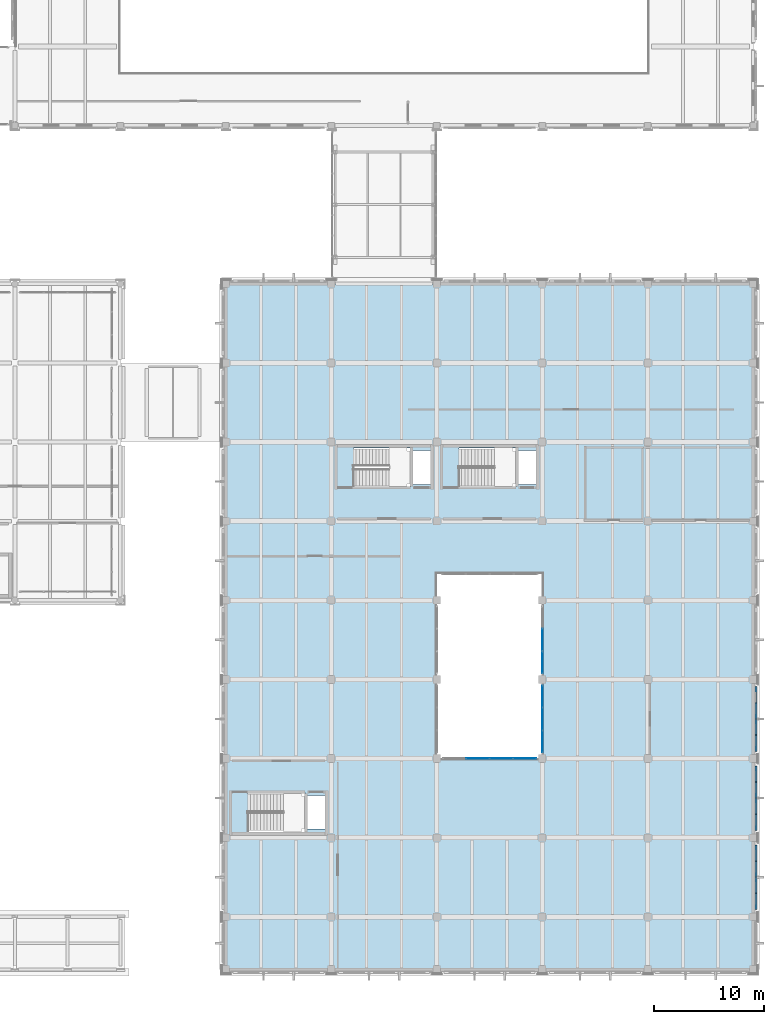
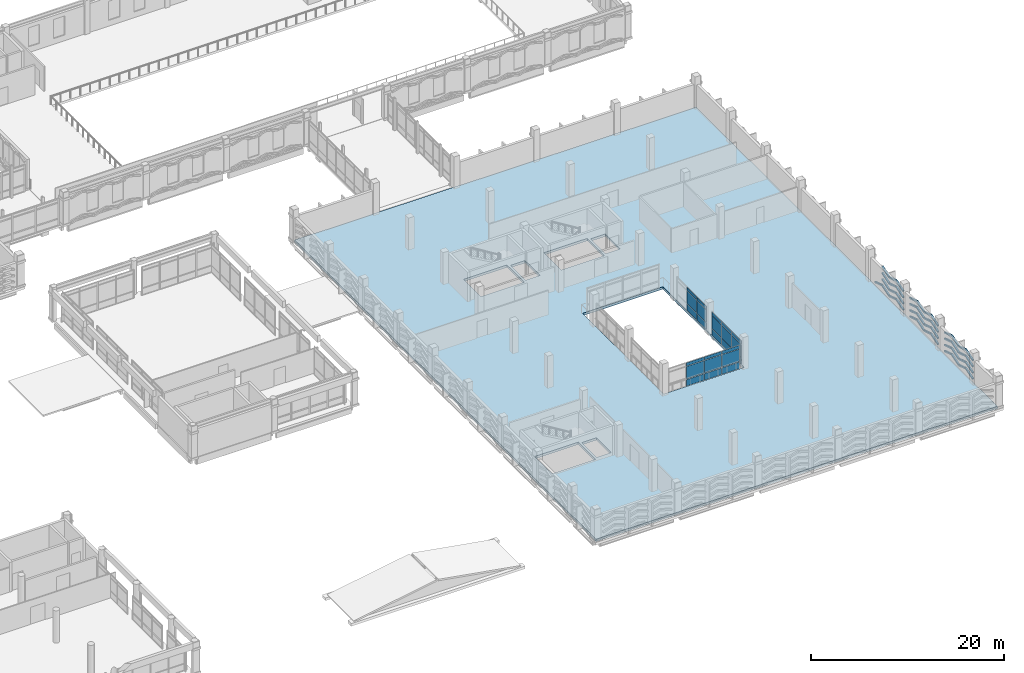
# One storey, part 145 of 180: 69 plates, 1 slab, 3 elements without a shape of their own.
"""IFC4 building model written with IfcOpenShell, lengths in metres."""

from ifc_helpers import new_model, si_unit, direction, frame, origin, origin_2d, place, context, subcontext, project, spatial, polyline, rectangle, hollow_rectangle, outline, extrude, material, layer, layer_set, material_profile, profile_set, type_object, element, aggregate, save


model = new_model("IFC4")

# Units and contexts
model_context = context("Model", 3, precision=1e-05, world=origin(), true_north=direction((0.0, 1.0)))
body_context = subcontext(model_context, "Body", "Model", "MODEL_VIEW")
ifc_project = project(units=[si_unit("LENGTHUNIT", "METRE"), si_unit("AREAUNIT", "SQUARE_METRE"), si_unit("VOLUMEUNIT", "CUBIC_METRE"), si_unit("PLANEANGLEUNIT", "RADIAN"), si_unit("MASSUNIT", "GRAM", prefix="KILO")], contexts=[model_context])

# Site, building, storey
site_placement = place(None, origin())
site = spatial("IfcSite", under=ifc_project, at=site_placement, CompositionType="ELEMENT")
building_placement = place(site_placement, origin())
building = spatial("IfcBuilding", under=site, at=building_placement, Name="Asteropetra Specialist Clinic", CompositionType="ELEMENT")
storey_placement = place(building_placement, frame((0.0, 0.0, 4.419921875)))
storey = spatial("IfcBuildingStorey", under=building, at=storey_placement, Name="L01", CompositionType="ELEMENT", Elevation=4.419921875)

# Plates
ifc_material_1 = material(Name="Chevron emerald aluminium 6063-T6", Category="aluminium")
ifc_material_profile = material_profile(ifc_material_1, hollow_rectangle(XDim=0.199951171875, YDim=0.199951171875, WallThickness=0.010009765625, InnerFilletRadius=0.008056640625, OuterFilletRadius=0.01611328125, at=origin_2d()), Name="SHS 200x200x10.0")
ifc_profile_set = profile_set([ifc_material_profile], Name="Chevron emerald aluminium 6063-T6")
plate_type_1 = type_object("IfcPlateType", Name="CHV-RIB-200", PredefinedType="SHEET", material=ifc_profile_set)
plate_1_placement = place(storey_placement, frame((153.849609375, 5.489990234375, 0.050048828125), z_axis=(0.0, 0.952521261695, 0.304472077568), x_axis=(-1.0, 0.0, 0.0)))
element("IfcPlate", 1, at=plate_1_placement, inside=storey, type_object=plate_type_1, Name="Chevron Facade Screen Fin CVR-2224", PredefinedType="SHEET", context=body_context, shape_type="SweptSolid", body=[
    extrude(hollow_rectangle(XDim=0.199951171875, YDim=0.199951171875, WallThickness=0.010009765625, InnerFilletRadius=0.008056640625, OuterFilletRadius=0.01611328125, at=origin_2d()), origin(), (0.0, 0.0, 1.0), 1.51708984375),
])
plate_2_placement = place(storey_placement, frame((153.849609375, 6.93505859375, 0.511962890625), z_axis=(0.0, 0.952506339897, -0.304518755506), x_axis=(-1.0, 0.0, 0.0)))
element("IfcPlate", 2, at=plate_2_placement, inside=storey, type_object=plate_type_1, Name="Chevron Facade Screen Fin CVR-2225", PredefinedType="SHEET", context=body_context, shape_type="SweptSolid", body=[
    extrude(hollow_rectangle(XDim=0.199951171875, YDim=0.199951171875, WallThickness=0.010009765625, InnerFilletRadius=0.008056640625, OuterFilletRadius=0.01611328125, at=origin_2d()), origin(), (0.0, 0.0, 1.0), 1.516845703125),
])
plate_3_placement = place(storey_placement, frame((153.849609375, 5.489990234375, 0.820068359375), z_axis=(0.0, 0.952521261695, 0.304472077568), x_axis=(-1.0, 0.0, 0.0)))
element("IfcPlate", 3, at=plate_3_placement, inside=storey, type_object=plate_type_1, Name="Chevron Facade Screen Fin CVR-2226", PredefinedType="SHEET", context=body_context, shape_type="SweptSolid", body=[
    extrude(hollow_rectangle(XDim=0.199951171875, YDim=0.199951171875, WallThickness=0.010009765625, InnerFilletRadius=0.008056640625, OuterFilletRadius=0.01611328125, at=origin_2d()), origin(), (0.0, 0.0, 1.0), 1.51708984375),
])
plate_4_placement = place(storey_placement, frame((153.849609375, 6.93505859375, 1.281982421875), z_axis=(0.0, 0.952506339897, -0.304518755506), x_axis=(-1.0, 0.0, 0.0)))
element("IfcPlate", 4, at=plate_4_placement, inside=storey, type_object=plate_type_1, Name="Chevron Facade Screen Fin CVR-2227", PredefinedType="SHEET", context=body_context, shape_type="SweptSolid", body=[
    extrude(hollow_rectangle(XDim=0.199951171875, YDim=0.199951171875, WallThickness=0.010009765625, InnerFilletRadius=0.008056640625, OuterFilletRadius=0.01611328125, at=origin_2d()), origin(), (0.0, 0.0, 1.0), 1.516845703125),
])
plate_5_placement = place(storey_placement, frame((153.849609375, 5.489990234375, 1.6201171875), z_axis=(0.0, 0.952521261695, 0.304472077568), x_axis=(-1.0, 0.0, 0.0)))
element("IfcPlate", 5, at=plate_5_placement, inside=storey, type_object=plate_type_1, Name="Chevron Facade Screen Fin CVR-2228", PredefinedType="SHEET", context=body_context, shape_type="SweptSolid", body=[
    extrude(hollow_rectangle(XDim=0.199951171875, YDim=0.199951171875, WallThickness=0.010009765625, InnerFilletRadius=0.008056640625, OuterFilletRadius=0.01611328125, at=origin_2d()), origin(), (0.0, 0.0, 1.0), 1.51708984375),
])
plate_6_placement = place(storey_placement, frame((153.849609375, 6.93505859375, 2.08203125), z_axis=(0.0, 0.952506339897, -0.304518755506), x_axis=(-1.0, 0.0, 0.0)))
element("IfcPlate", 6, at=plate_6_placement, inside=storey, type_object=plate_type_1, Name="Chevron Facade Screen Fin CVR-2229", PredefinedType="SHEET", context=body_context, shape_type="SweptSolid", body=[
    extrude(hollow_rectangle(XDim=0.199951171875, YDim=0.199951171875, WallThickness=0.010009765625, InnerFilletRadius=0.008056640625, OuterFilletRadius=0.01611328125, at=origin_2d()), origin(), (0.0, 0.0, 1.0), 1.516845703125),
])
plate_7_placement = place(storey_placement, frame((153.849609375, 5.489990234375, 2.400146484375), z_axis=(0.0, 0.952521261695, 0.304472077568), x_axis=(-1.0, 0.0, 0.0)))
element("IfcPlate", 7, at=plate_7_placement, inside=storey, type_object=plate_type_1, Name="Chevron Facade Screen Fin CVR-2230", PredefinedType="SHEET", context=body_context, shape_type="SweptSolid", body=[
    extrude(hollow_rectangle(XDim=0.199951171875, YDim=0.199951171875, WallThickness=0.010009765625, InnerFilletRadius=0.008056640625, OuterFilletRadius=0.01611328125, at=origin_2d()), origin(), (0.0, 0.0, 1.0), 1.51708984375),
])
plate_8_placement = place(storey_placement, frame((153.849609375, 6.93505859375, 2.862060546875), z_axis=(0.0, 0.952506339897, -0.304518755506), x_axis=(-1.0, 0.0, 0.0)))
element("IfcPlate", 8, at=plate_8_placement, inside=storey, type_object=plate_type_1, Name="Chevron Facade Screen Fin CVR-2231", PredefinedType="SHEET", context=body_context, shape_type="SweptSolid", body=[
    extrude(hollow_rectangle(XDim=0.199951171875, YDim=0.199951171875, WallThickness=0.010009765625, InnerFilletRadius=0.008056640625, OuterFilletRadius=0.01611328125, at=origin_2d()), origin(), (0.0, 0.0, 1.0), 1.516845703125),
])
for number, where, z_axis, x_axis, name in (
    (9, (153.849609375, 8.419921875, 0.050048828125), (0.0, 0.952521261695, 0.304472077568), (-1.0, 0.0, 0.0), "Chevron Facade Screen Fin CVR-2232"),
    (10, (153.849609375, 9.864990234375, 0.511962890625), (0.0, 0.952521261695, -0.304472077568), (-1.0, 0.0, 0.0), "Chevron Facade Screen Fin CVR-2233"),
    (11, (153.849609375, 8.419921875, 0.820068359375), (0.0, 0.952521261695, 0.304472077568), (-1.0, 0.0, 0.0), "Chevron Facade Screen Fin CVR-2234"),
    (12, (153.849609375, 9.864990234375, 1.281982421875), (0.0, 0.952521261695, -0.304472077568), (-1.0, 0.0, 0.0), "Chevron Facade Screen Fin CVR-2235"),
    (13, (153.849609375, 8.419921875, 1.6201171875), (0.0, 0.952521261695, 0.304472077568), (-1.0, 0.0, 0.0), "Chevron Facade Screen Fin CVR-2236"),
    (14, (153.849609375, 9.864990234375, 2.08203125), (0.0, 0.952521261695, -0.304472077568), (-1.0, 0.0, 0.0), "Chevron Facade Screen Fin CVR-2237"),
    (15, (153.849609375, 8.419921875, 2.400146484375), (0.0, 0.952521261695, 0.304472077568), (-1.0, 0.0, 0.0), "Chevron Facade Screen Fin CVR-2238"),
    (16, (153.849609375, 9.864990234375, 2.862060546875), (0.0, 0.952521261695, -0.304472077568), (-1.0, 0.0, 0.0), "Chevron Facade Screen Fin CVR-2239"),
    (17, (153.849609375, 12.68994140625, 0.050048828125), (0.0, 0.952521261695, 0.304472077568), (-1.0, 0.0, 0.0), "Chevron Facade Screen Fin CVR-2256"),
    (18, (153.849609375, 14.135009765625, 0.511962890625), (0.0, 0.952521261695, -0.304472077568), (-1.0, 0.0, 0.0), "Chevron Facade Screen Fin CVR-2257"),
    (19, (153.849609375, 12.68994140625, 0.820068359375), (0.0, 0.952521261695, 0.304472077568), (-1.0, 0.0, 0.0), "Chevron Facade Screen Fin CVR-2258"),
    (20, (153.849609375, 14.135009765625, 1.281982421875), (0.0, 0.952521261695, -0.304472077568), (-1.0, 0.0, 0.0), "Chevron Facade Screen Fin CVR-2259"),
    (21, (153.849609375, 12.68994140625, 1.6201171875), (0.0, 0.952521261695, 0.304472077568), (-1.0, 0.0, 0.0), "Chevron Facade Screen Fin CVR-2260"),
    (22, (153.849609375, 14.135009765625, 2.08203125), (0.0, 0.952521261695, -0.304472077568), (-1.0, 0.0, 0.0), "Chevron Facade Screen Fin CVR-2261"),
    (23, (153.849609375, 12.68994140625, 2.400146484375), (0.0, 0.952521261695, 0.304472077568), (-1.0, 0.0, 0.0), "Chevron Facade Screen Fin CVR-2262"),
    (24, (153.849609375, 14.135009765625, 2.862060546875), (0.0, 0.952521261695, -0.304472077568), (-1.0, 0.0, 0.0), "Chevron Facade Screen Fin CVR-2263"),
):
    element("IfcPlate", number, at=place(storey_placement, frame(where, z_axis=z_axis, x_axis=x_axis)), inside=storey, type_object=plate_type_1, Name=name, PredefinedType="SHEET", context=body_context, shape_type="SweptSolid", body=[
        extrude(hollow_rectangle(XDim=0.199951171875, YDim=0.199951171875, WallThickness=0.010009765625, InnerFilletRadius=0.008056640625, OuterFilletRadius=0.01611328125, at=origin_2d()), origin(), (0.0, 0.0, 1.0), 1.51708984375),
    ])
plate_9_placement = place(storey_placement, frame((153.849609375, 15.6201171875, 0.050048828125), z_axis=(0.0, 0.952506339897, 0.304518755506), x_axis=(-1.0, 0.0, 0.0)))
element("IfcPlate", 25, at=plate_9_placement, inside=storey, type_object=plate_type_1, Name="Chevron Facade Screen Fin CVR-2264", PredefinedType="SHEET", context=body_context, shape_type="SweptSolid", body=[
    extrude(hollow_rectangle(XDim=0.199951171875, YDim=0.199951171875, WallThickness=0.010009765625, InnerFilletRadius=0.008056640625, OuterFilletRadius=0.01611328125, at=origin_2d()), origin(), (0.0, 0.0, 1.0), 1.516845703125),
])
plate_10_placement = place(storey_placement, frame((153.849609375, 17.06494140625, 0.511962890625), z_axis=(0.0, 0.952521261695, -0.304472077568), x_axis=(-1.0, 0.0, 0.0)))
element("IfcPlate", 26, at=plate_10_placement, inside=storey, type_object=plate_type_1, Name="Chevron Facade Screen Fin CVR-2265", PredefinedType="SHEET", context=body_context, shape_type="SweptSolid", body=[
    extrude(hollow_rectangle(XDim=0.199951171875, YDim=0.199951171875, WallThickness=0.010009765625, InnerFilletRadius=0.008056640625, OuterFilletRadius=0.01611328125, at=origin_2d()), origin(), (0.0, 0.0, 1.0), 1.51708984375),
])
plate_11_placement = place(storey_placement, frame((153.849609375, 15.6201171875, 0.820068359375), z_axis=(0.0, 0.952506339897, 0.304518755506), x_axis=(-1.0, 0.0, 0.0)))
element("IfcPlate", 27, at=plate_11_placement, inside=storey, type_object=plate_type_1, Name="Chevron Facade Screen Fin CVR-2266", PredefinedType="SHEET", context=body_context, shape_type="SweptSolid", body=[
    extrude(hollow_rectangle(XDim=0.199951171875, YDim=0.199951171875, WallThickness=0.010009765625, InnerFilletRadius=0.008056640625, OuterFilletRadius=0.01611328125, at=origin_2d()), origin(), (0.0, 0.0, 1.0), 1.516845703125),
])
plate_12_placement = place(storey_placement, frame((153.849609375, 17.06494140625, 1.281982421875), z_axis=(0.0, 0.952521261695, -0.304472077568), x_axis=(-1.0, 0.0, 0.0)))
element("IfcPlate", 28, at=plate_12_placement, inside=storey, type_object=plate_type_1, Name="Chevron Facade Screen Fin CVR-2267", PredefinedType="SHEET", context=body_context, shape_type="SweptSolid", body=[
    extrude(hollow_rectangle(XDim=0.199951171875, YDim=0.199951171875, WallThickness=0.010009765625, InnerFilletRadius=0.008056640625, OuterFilletRadius=0.01611328125, at=origin_2d()), origin(), (0.0, 0.0, 1.0), 1.51708984375),
])
plate_13_placement = place(storey_placement, frame((153.849609375, 15.6201171875, 1.6201171875), z_axis=(0.0, 0.952506339897, 0.304518755506), x_axis=(-1.0, 0.0, 0.0)))
element("IfcPlate", 29, at=plate_13_placement, inside=storey, type_object=plate_type_1, Name="Chevron Facade Screen Fin CVR-2268", PredefinedType="SHEET", context=body_context, shape_type="SweptSolid", body=[
    extrude(hollow_rectangle(XDim=0.199951171875, YDim=0.199951171875, WallThickness=0.010009765625, InnerFilletRadius=0.008056640625, OuterFilletRadius=0.01611328125, at=origin_2d()), origin(), (0.0, 0.0, 1.0), 1.516845703125),
])
plate_14_placement = place(storey_placement, frame((153.849609375, 17.06494140625, 2.08203125), z_axis=(0.0, 0.952521261695, -0.304472077568), x_axis=(-1.0, 0.0, 0.0)))
element("IfcPlate", 30, at=plate_14_placement, inside=storey, type_object=plate_type_1, Name="Chevron Facade Screen Fin CVR-2269", PredefinedType="SHEET", context=body_context, shape_type="SweptSolid", body=[
    extrude(hollow_rectangle(XDim=0.199951171875, YDim=0.199951171875, WallThickness=0.010009765625, InnerFilletRadius=0.008056640625, OuterFilletRadius=0.01611328125, at=origin_2d()), origin(), (0.0, 0.0, 1.0), 1.51708984375),
])
plate_15_placement = place(storey_placement, frame((153.849609375, 15.6201171875, 2.400146484375), z_axis=(0.0, 0.952506339897, 0.304518755506), x_axis=(-1.0, 0.0, 0.0)))
element("IfcPlate", 31, at=plate_15_placement, inside=storey, type_object=plate_type_1, Name="Chevron Facade Screen Fin CVR-2270", PredefinedType="SHEET", context=body_context, shape_type="SweptSolid", body=[
    extrude(hollow_rectangle(XDim=0.199951171875, YDim=0.199951171875, WallThickness=0.010009765625, InnerFilletRadius=0.008056640625, OuterFilletRadius=0.01611328125, at=origin_2d()), origin(), (0.0, 0.0, 1.0), 1.516845703125),
])
for number, where, z_axis, x_axis, name in (
    (32, (153.849609375, 17.06494140625, 2.862060546875), (0.0, 0.952521261695, -0.304472077568), (-1.0, 0.0, 0.0), "Chevron Facade Screen Fin CVR-2271"),
    (33, (153.849609375, 19.889892578125, 0.050048828125), (0.0, 0.952521261695, 0.304472077568), (-1.0, 0.0, 0.0), "Chevron Facade Screen Fin CVR-2288"),
    (34, (153.849609375, 21.3349609375, 0.511962890625), (0.0, 0.952521261695, -0.304472077568), (-1.0, 0.0, 0.0), "Chevron Facade Screen Fin CVR-2289"),
    (35, (153.849609375, 19.889892578125, 0.820068359375), (0.0, 0.952521261695, 0.304472077568), (-1.0, 0.0, 0.0), "Chevron Facade Screen Fin CVR-2290"),
    (36, (153.849609375, 21.3349609375, 1.281982421875), (0.0, 0.952521261695, -0.304472077568), (-1.0, 0.0, 0.0), "Chevron Facade Screen Fin CVR-2291"),
    (37, (153.849609375, 19.889892578125, 1.6201171875), (0.0, 0.952521261695, 0.304472077568), (-1.0, 0.0, 0.0), "Chevron Facade Screen Fin CVR-2292"),
    (38, (153.849609375, 21.3349609375, 2.08203125), (0.0, 0.952521261695, -0.304472077568), (-1.0, 0.0, 0.0), "Chevron Facade Screen Fin CVR-2293"),
    (39, (153.849609375, 19.889892578125, 2.400146484375), (0.0, 0.952521261695, 0.304472077568), (-1.0, 0.0, 0.0), "Chevron Facade Screen Fin CVR-2294"),
    (40, (153.849609375, 21.3349609375, 2.862060546875), (0.0, 0.952521261695, -0.304472077568), (-1.0, 0.0, 0.0), "Chevron Facade Screen Fin CVR-2295"),
):
    element("IfcPlate", number, at=place(storey_placement, frame(where, z_axis=z_axis, x_axis=x_axis)), inside=storey, type_object=plate_type_1, Name=name, PredefinedType="SHEET", context=body_context, shape_type="SweptSolid", body=[
        extrude(hollow_rectangle(XDim=0.199951171875, YDim=0.199951171875, WallThickness=0.010009765625, InnerFilletRadius=0.008056640625, OuterFilletRadius=0.01611328125, at=origin_2d()), origin(), (0.0, 0.0, 1.0), 1.51708984375),
    ])
plate_16_placement = place(storey_placement, frame((153.849609375, 22.820068359375, 0.050048828125), z_axis=(0.0, 0.952506339897, 0.304518755506), x_axis=(-1.0, 0.0, 0.0)))
element("IfcPlate", 41, at=plate_16_placement, inside=storey, type_object=plate_type_1, Name="Chevron Facade Screen Fin CVR-2296", PredefinedType="SHEET", context=body_context, shape_type="SweptSolid", body=[
    extrude(hollow_rectangle(XDim=0.199951171875, YDim=0.199951171875, WallThickness=0.010009765625, InnerFilletRadius=0.008056640625, OuterFilletRadius=0.01611328125, at=origin_2d()), origin(), (0.0, 0.0, 1.0), 1.516845703125),
])
plate_17_placement = place(storey_placement, frame((153.849609375, 24.264892578125, 0.511962890625), z_axis=(0.0, 0.952521261695, -0.304472077568), x_axis=(-1.0, 0.0, 0.0)))
element("IfcPlate", 42, at=plate_17_placement, inside=storey, type_object=plate_type_1, Name="Chevron Facade Screen Fin CVR-2297", PredefinedType="SHEET", context=body_context, shape_type="SweptSolid", body=[
    extrude(hollow_rectangle(XDim=0.199951171875, YDim=0.199951171875, WallThickness=0.010009765625, InnerFilletRadius=0.008056640625, OuterFilletRadius=0.01611328125, at=origin_2d()), origin(), (0.0, 0.0, 1.0), 1.51708984375),
])
for number, where, z_axis, x_axis, name in (
    (43, (153.849609375, 22.820068359375, 0.820068359375), (0.0, 0.952506339897, 0.304518755506), (-1.0, 0.0, 0.0), "Chevron Facade Screen Fin CVR-2298"),
    (44, (153.849609375, 22.820068359375, 1.6201171875), (0.0, 0.952506339897, 0.304518755506), (-1.0, 0.0, 0.0), "Chevron Facade Screen Fin CVR-2300"),
    (45, (153.849609375, 22.820068359375, 2.400146484375), (0.0, 0.952506339897, 0.304518755506), (-1.0, 0.0, 0.0), "Chevron Facade Screen Fin CVR-2302"),
):
    element("IfcPlate", number, at=place(storey_placement, frame(where, z_axis=z_axis, x_axis=x_axis)), inside=storey, type_object=plate_type_1, Name=name, PredefinedType="SHEET", context=body_context, shape_type="SweptSolid", body=[
        extrude(hollow_rectangle(XDim=0.199951171875, YDim=0.199951171875, WallThickness=0.010009765625, InnerFilletRadius=0.008056640625, OuterFilletRadius=0.01611328125, at=origin_2d()), origin(), (0.0, 0.0, 1.0), 1.516845703125),
    ])

# Curtain wall, plates
ifc_material_2 = material(Name="Aluminium and low-E glass", Category="aluminium")
ifc_layer_1 = layer(ifc_material_2, 0.135009765625)
ifc_layer_set_1 = layer_set([ifc_layer_1], Name="Aluminium and low-E glass")
curtain_wall_type_1 = type_object("IfcCurtainWallType", Name="CW-SYS-12", PredefinedType="USERDEFINED", material=ifc_layer_set_1)
curtain_wall_1_placement = place(storey_placement, origin())
curtain_wall_1 = element("IfcCurtainWall", 46, at=curtain_wall_1_placement, inside=storey, type_object=curtain_wall_type_1, Name="Curtain Wall CW-076", ObjectType="STICK GLAZED COLONNADE", PredefinedType="USERDEFINED")
ifc_material_3 = material(Name="Low-E double glazing", Category="glass")
ifc_layer_2 = layer(ifc_material_3, 0.028076171875)
ifc_layer_set_2 = layer_set([ifc_layer_2], Name="Low-E double glazing")
plate_type_2 = type_object("IfcPlateType", Name="CWP-GLZ-28", PredefinedType="CURTAIN_PANEL", material=ifc_layer_set_2)
plate_18_placement = place(storey_placement, frame((134.39990234375, 27.956298828125, 0.06494140625), z_axis=(0.0, 0.0, 1.0), x_axis=(0.0, 1.0, 0.0)))
plate_18 = element("IfcPlate", 47, at=plate_18_placement, type_object=plate_type_2, Name="CW-076 panel 1.1", PredefinedType="CURTAIN_PANEL", context=body_context, shape_type="SweptSolid", body=[
    extrude(rectangle(XDim=1.96240234375, YDim=0.028076171875, at=origin_2d()), origin(), (0.0, 0.0, 1.0), 0.802490234375),
])
plate_19_placement = place(storey_placement, frame((134.39990234375, 27.956298828125, 0.9326171875), z_axis=(0.0, 0.0, 1.0), x_axis=(0.0, 1.0, 0.0)))
plate_19 = element("IfcPlate", 48, at=plate_19_placement, type_object=plate_type_2, Name="CW-076 panel 1.2", PredefinedType="CURTAIN_PANEL", context=body_context, shape_type="SweptSolid", body=[
    extrude(rectangle(XDim=1.96240234375, YDim=0.028076171875, at=origin_2d()), origin(), (0.0, 0.0, 1.0), 1.594970703125),
])
plate_20_placement = place(storey_placement, frame((134.39990234375, 27.956298828125, 2.5927734375), z_axis=(0.0, 0.0, 1.0), x_axis=(0.0, 1.0, 0.0)))
plate_20 = element("IfcPlate", 49, at=plate_20_placement, type_object=plate_type_2, Name="CW-076 panel 1.3", PredefinedType="CURTAIN_PANEL", context=body_context, shape_type="SweptSolid", body=[
    extrude(rectangle(XDim=1.96240234375, YDim=0.028076171875, at=origin_2d()), origin(), (0.0, 0.0, 1.0), 0.402587890625),
])
plate_21_placement = place(storey_placement, frame((134.39990234375, 30.0, 0.06494140625), z_axis=(0.0, 0.0, 1.0), x_axis=(0.0, 1.0, 0.0)))
plate_21 = element("IfcPlate", 50, at=plate_21_placement, type_object=plate_type_2, Name="CW-076 panel 2.1", PredefinedType="CURTAIN_PANEL", context=body_context, shape_type="SweptSolid", body=[
    extrude(rectangle(XDim=1.9951171875, YDim=0.028076171875, at=origin_2d()), origin(), (0.0, 0.0, 1.0), 0.802490234375),
])
plate_22_placement = place(storey_placement, frame((134.39990234375, 30.0, 0.9326171875), z_axis=(0.0, 0.0, 1.0), x_axis=(0.0, 1.0, 0.0)))
plate_22 = element("IfcPlate", 51, at=plate_22_placement, type_object=plate_type_2, Name="CW-076 panel 2.2", PredefinedType="CURTAIN_PANEL", context=body_context, shape_type="SweptSolid", body=[
    extrude(rectangle(XDim=1.9951171875, YDim=0.028076171875, at=origin_2d()), origin(), (0.0, 0.0, 1.0), 1.594970703125),
])
plate_23_placement = place(storey_placement, frame((134.39990234375, 30.0, 2.5927734375), z_axis=(0.0, 0.0, 1.0), x_axis=(0.0, 1.0, 0.0)))
plate_23 = element("IfcPlate", 52, at=plate_23_placement, type_object=plate_type_2, Name="CW-076 panel 2.3", PredefinedType="CURTAIN_PANEL", context=body_context, shape_type="SweptSolid", body=[
    extrude(rectangle(XDim=1.9951171875, YDim=0.028076171875, at=origin_2d()), origin(), (0.0, 0.0, 1.0), 0.402587890625),
])
aggregate(curtain_wall_1, [plate_18, plate_19, plate_20, plate_21, plate_22, plate_23])

ifc_material_4 = material(Name="Aluminium and low-E glass", Category="aluminium")
ifc_layer_3 = layer(ifc_material_4, 0.14990234375)
ifc_layer_set_3 = layer_set([ifc_layer_3], Name="Aluminium and low-E glass")
curtain_wall_type_2 = type_object("IfcCurtainWallType", Name="CW-SYS-11", PredefinedType="USERDEFINED", material=ifc_layer_set_3)
curtain_wall_2_placement = place(storey_placement, origin())
curtain_wall_2 = element("IfcCurtainWall", 53, at=curtain_wall_2_placement, inside=storey, type_object=curtain_wall_type_2, Name="Curtain Wall CW-074", ObjectType="STICK GLAZED COLONNADE", PredefinedType="USERDEFINED")
ifc_material_5 = material(Name="Solar-control triple glazing", Category="glass")
ifc_layer_4 = layer(ifc_material_5, 0.035888671875)
ifc_layer_set_4 = layer_set([ifc_layer_4], Name="Solar-control triple glazing")
plate_type_3 = type_object("IfcPlateType", Name="CWP-GLZ-36", PredefinedType="CURTAIN_PANEL", material=ifc_layer_set_4)
plate_24_placement = place(storey_placement, frame((134.39990234375, 20.7548828125, 0.06005859375), z_axis=(0.0, 0.0, 1.0), x_axis=(0.0, 1.0, 0.0)))
plate_24 = element("IfcPlate", 54, at=plate_24_placement, type_object=plate_type_3, Name="CW-074 panel 1.1", PredefinedType="CURTAIN_PANEL", context=body_context, shape_type="SweptSolid", body=[
    extrude(rectangle(XDim=1.969970703125, YDim=0.035888671875, at=origin_2d()), origin(), (0.0, 0.0, 1.0), 0.81005859375),
])
plate_25_placement = place(storey_placement, frame((134.39990234375, 20.7548828125, 0.929931640625), z_axis=(0.0, 0.0, 1.0), x_axis=(0.0, 1.0, 0.0)))
plate_25 = element("IfcPlate", 55, at=plate_25_placement, type_object=plate_type_3, Name="CW-074 panel 1.2", PredefinedType="CURTAIN_PANEL", context=body_context, shape_type="SweptSolid", body=[
    extrude(rectangle(XDim=1.969970703125, YDim=0.035888671875, at=origin_2d()), origin(), (0.0, 0.0, 1.0), 1.60009765625),
])
plate_26_placement = place(storey_placement, frame((134.39990234375, 20.7548828125, 2.59033203125), z_axis=(0.0, 0.0, 1.0), x_axis=(0.0, 1.0, 0.0)))
plate_26 = element("IfcPlate", 56, at=plate_26_placement, type_object=plate_type_3, Name="CW-074 panel 1.3", PredefinedType="CURTAIN_PANEL", context=body_context, shape_type="SweptSolid", body=[
    extrude(rectangle(XDim=1.969970703125, YDim=0.035888671875, at=origin_2d()), origin(), (0.0, 0.0, 1.0), 0.409912109375),
])
plate_27_placement = place(storey_placement, frame((134.39990234375, 22.800048828125, 0.06005859375), z_axis=(0.0, 0.0, 1.0), x_axis=(0.0, 1.0, 0.0)))
plate_27 = element("IfcPlate", 57, at=plate_27_placement, type_object=plate_type_3, Name="CW-074 panel 2.1", PredefinedType="CURTAIN_PANEL", context=body_context, shape_type="SweptSolid", body=[
    extrude(rectangle(XDim=2.0, YDim=0.035888671875, at=origin_2d()), origin(), (0.0, 0.0, 1.0), 0.81005859375),
])
plate_28_placement = place(storey_placement, frame((134.39990234375, 22.800048828125, 0.929931640625), z_axis=(0.0, 0.0, 1.0), x_axis=(0.0, 1.0, 0.0)))
plate_28 = element("IfcPlate", 58, at=plate_28_placement, type_object=plate_type_3, Name="CW-074 panel 2.2", PredefinedType="CURTAIN_PANEL", context=body_context, shape_type="SweptSolid", body=[
    extrude(rectangle(XDim=2.0, YDim=0.035888671875, at=origin_2d()), origin(), (0.0, 0.0, 1.0), 1.60009765625),
])
plate_29_placement = place(storey_placement, frame((134.39990234375, 22.800048828125, 2.59033203125), z_axis=(0.0, 0.0, 1.0), x_axis=(0.0, 1.0, 0.0)))
plate_29 = element("IfcPlate", 59, at=plate_29_placement, type_object=plate_type_3, Name="CW-074 panel 2.3", PredefinedType="CURTAIN_PANEL", context=body_context, shape_type="SweptSolid", body=[
    extrude(rectangle(XDim=2.0, YDim=0.035888671875, at=origin_2d()), origin(), (0.0, 0.0, 1.0), 0.409912109375),
])
plate_30_placement = place(storey_placement, frame((134.39990234375, 24.844970703125, 0.06005859375), z_axis=(0.0, 0.0, 1.0), x_axis=(0.0, 1.0, 0.0)))
plate_30 = element("IfcPlate", 60, at=plate_30_placement, type_object=plate_type_3, Name="CW-074 panel 3.1", PredefinedType="CURTAIN_PANEL", context=body_context, shape_type="SweptSolid", body=[
    extrude(rectangle(XDim=1.969970703125, YDim=0.035888671875, at=origin_2d()), origin(), (0.0, 0.0, 1.0), 0.81005859375),
])
plate_31_placement = place(storey_placement, frame((134.39990234375, 24.844970703125, 0.929931640625), z_axis=(0.0, 0.0, 1.0), x_axis=(0.0, 1.0, 0.0)))
plate_31 = element("IfcPlate", 61, at=plate_31_placement, type_object=plate_type_3, Name="CW-074 panel 3.2", PredefinedType="CURTAIN_PANEL", context=body_context, shape_type="SweptSolid", body=[
    extrude(rectangle(XDim=1.969970703125, YDim=0.035888671875, at=origin_2d()), origin(), (0.0, 0.0, 1.0), 1.60009765625),
])
plate_32_placement = place(storey_placement, frame((134.39990234375, 24.844970703125, 2.59033203125), z_axis=(0.0, 0.0, 1.0), x_axis=(0.0, 1.0, 0.0)))
plate_32 = element("IfcPlate", 62, at=plate_32_placement, type_object=plate_type_3, Name="CW-074 panel 3.3", PredefinedType="CURTAIN_PANEL", context=body_context, shape_type="SweptSolid", body=[
    extrude(rectangle(XDim=1.969970703125, YDim=0.035888671875, at=origin_2d()), origin(), (0.0, 0.0, 1.0), 0.409912109375),
])
aggregate(curtain_wall_2, [plate_24, plate_25, plate_26, plate_27, plate_28, plate_29, plate_30, plate_31, plate_32])

ifc_material_6 = material(Name="Aluminium and low-E glass", Category="aluminium")
ifc_layer_5 = layer(ifc_material_6, 0.14990234375)
ifc_layer_set_5 = layer_set([ifc_layer_5], Name="Aluminium and low-E glass")
curtain_wall_type_3 = type_object("IfcCurtainWallType", Name="CW-SYS-08", PredefinedType="USERDEFINED", material=ifc_layer_set_5)
curtain_wall_3_placement = place(storey_placement, origin())
curtain_wall_3 = element("IfcCurtainWall", 63, at=curtain_wall_3_placement, inside=storey, type_object=curtain_wall_type_3, Name="Curtain Wall CW-071", ObjectType="STICK GLAZED COLONNADE", PredefinedType="USERDEFINED")
ifc_material_7 = material(Name="Laminated skylight glazing", Category="glass")
ifc_layer_6 = layer(ifc_material_7, 0.0400390625)
ifc_layer_set_6 = layer_set([ifc_layer_6], Name="Laminated skylight glazing")
plate_type_4 = type_object("IfcPlateType", Name="CWP-GLZ-40", PredefinedType="CURTAIN_PANEL", material=ifc_layer_set_6)
plate_33_placement = place(storey_placement, frame((128.527587890625, 19.199951171875, 0.06005859375), z_axis=(0.0, 0.0, 1.0), x_axis=(1.0, 0.0, 0.0)))
plate_33 = element("IfcPlate", 64, at=plate_33_placement, type_object=plate_type_4, Name="CW-071 panel 2.1", PredefinedType="CURTAIN_PANEL", context=body_context, shape_type="SweptSolid", body=[
    extrude(rectangle(XDim=2.0849609375, YDim=0.0400390625, at=origin_2d()), origin(), (0.0, 0.0, 1.0), 0.81005859375),
])
plate_34_placement = place(storey_placement, frame((128.527587890625, 19.199951171875, 0.929931640625), z_axis=(0.0, 0.0, 1.0), x_axis=(1.0, 0.0, 0.0)))
plate_34 = element("IfcPlate", 65, at=plate_34_placement, type_object=plate_type_4, Name="CW-071 panel 2.2", PredefinedType="CURTAIN_PANEL", context=body_context, shape_type="SweptSolid", body=[
    extrude(rectangle(XDim=2.0849609375, YDim=0.0400390625, at=origin_2d()), origin(), (0.0, 0.0, 1.0), 1.60009765625),
])
plate_35_placement = place(storey_placement, frame((128.527587890625, 19.199951171875, 2.59033203125), z_axis=(0.0, 0.0, 1.0), x_axis=(1.0, 0.0, 0.0)))
plate_35 = element("IfcPlate", 66, at=plate_35_placement, type_object=plate_type_4, Name="CW-071 panel 2.3", PredefinedType="CURTAIN_PANEL", context=body_context, shape_type="SweptSolid", body=[
    extrude(rectangle(XDim=2.0849609375, YDim=0.0400390625, at=origin_2d()), origin(), (0.0, 0.0, 1.0), 0.409912109375),
])
plate_36_placement = place(storey_placement, frame((130.672607421875, 19.199951171875, 0.06005859375), z_axis=(0.0, 0.0, 1.0), x_axis=(1.0, 0.0, 0.0)))
plate_36 = element("IfcPlate", 67, at=plate_36_placement, type_object=plate_type_4, Name="CW-071 panel 3.1", PredefinedType="CURTAIN_PANEL", context=body_context, shape_type="SweptSolid", body=[
    extrude(rectangle(XDim=2.0849609375, YDim=0.0400390625, at=origin_2d()), origin(), (0.0, 0.0, 1.0), 0.81005859375),
])
plate_37_placement = place(storey_placement, frame((130.672607421875, 19.199951171875, 0.929931640625), z_axis=(0.0, 0.0, 1.0), x_axis=(1.0, 0.0, 0.0)))
plate_37 = element("IfcPlate", 68, at=plate_37_placement, type_object=plate_type_4, Name="CW-071 panel 3.2", PredefinedType="CURTAIN_PANEL", context=body_context, shape_type="SweptSolid", body=[
    extrude(rectangle(XDim=2.0849609375, YDim=0.0400390625, at=origin_2d()), origin(), (0.0, 0.0, 1.0), 1.60009765625),
])
plate_38_placement = place(storey_placement, frame((130.672607421875, 19.199951171875, 2.59033203125), z_axis=(0.0, 0.0, 1.0), x_axis=(1.0, 0.0, 0.0)))
plate_38 = element("IfcPlate", 69, at=plate_38_placement, type_object=plate_type_4, Name="CW-071 panel 3.3", PredefinedType="CURTAIN_PANEL", context=body_context, shape_type="SweptSolid", body=[
    extrude(rectangle(XDim=2.0849609375, YDim=0.0400390625, at=origin_2d()), origin(), (0.0, 0.0, 1.0), 0.409912109375),
])
plate_39_placement = place(storey_placement, frame((132.802490234375, 19.199951171875, 0.06005859375), z_axis=(0.0, 0.0, 1.0), x_axis=(1.0, 0.0, 0.0)))
plate_39 = element("IfcPlate", 70, at=plate_39_placement, type_object=plate_type_4, Name="CW-071 panel 4.1", PredefinedType="CURTAIN_PANEL", context=body_context, shape_type="SweptSolid", body=[
    extrude(rectangle(XDim=2.054931640625, YDim=0.0400390625, at=origin_2d()), origin(), (0.0, 0.0, 1.0), 0.81005859375),
])
plate_40_placement = place(storey_placement, frame((132.802490234375, 19.199951171875, 0.929931640625), z_axis=(0.0, 0.0, 1.0), x_axis=(1.0, 0.0, 0.0)))
plate_40 = element("IfcPlate", 71, at=plate_40_placement, type_object=plate_type_4, Name="CW-071 panel 4.2", PredefinedType="CURTAIN_PANEL", context=body_context, shape_type="SweptSolid", body=[
    extrude(rectangle(XDim=2.054931640625, YDim=0.0400390625, at=origin_2d()), origin(), (0.0, 0.0, 1.0), 1.60009765625),
])
plate_41_placement = place(storey_placement, frame((132.802490234375, 19.199951171875, 2.59033203125), z_axis=(0.0, 0.0, 1.0), x_axis=(1.0, 0.0, 0.0)))
plate_41 = element("IfcPlate", 72, at=plate_41_placement, type_object=plate_type_4, Name="CW-071 panel 4.3", PredefinedType="CURTAIN_PANEL", context=body_context, shape_type="SweptSolid", body=[
    extrude(rectangle(XDim=2.054931640625, YDim=0.0400390625, at=origin_2d()), origin(), (0.0, 0.0, 1.0), 0.409912109375),
])
aggregate(curtain_wall_3, [plate_33, plate_34, plate_35, plate_36, plate_37, plate_38, plate_39, plate_40, plate_41])

# Slab
ifc_material_8 = material(Name="Concrete C35/45", Category="concrete")
ifc_layer_7 = layer(ifc_material_8, 0.300048828125)
ifc_layer_set_7 = layer_set([ifc_layer_7], Name="Concrete C35/45")
slab_type = type_object("IfcSlabType", Name="SLB-FLR-300", PredefinedType="FLOOR", material=ifc_layer_set_7)
slab_placement = place(storey_placement, frame((0.0, 0.0, -0.2998046875)))
element("IfcSlab", 73, at=slab_placement, inside=storey, type_object=slab_type, Name="Slab V6 L01", PredefinedType="FLOOR", context=body_context, shape_type="SweptSolid", body=[
    extrude(outline(polyline([(105.60009765625, 0.0), (153.60009765625, 0.0), (153.60009765625, 62.39990234375), (105.60009765625, 62.39990234375), (105.60009765625, 0.0)]), holes=[polyline([(124.800048828125, 19.199951171875), (134.39990234375, 19.199951171875), (134.39990234375, 36.0), (124.800048828125, 36.0), (124.800048828125, 19.199951171875)]), polyline([(107.60009765625, 12.52001953125), (112.780029296875, 12.52001953125), (112.780029296875, 16.10009765625), (107.60009765625, 16.10009765625), (107.60009765625, 12.52001953125)]), polyline([(113.050048828125, 12.77001953125), (114.800048828125, 12.77001953125), (114.800048828125, 15.85009765625), (113.050048828125, 15.85009765625), (113.050048828125, 12.77001953125)]), polyline([(126.800048828125, 43.89990234375), (131.97998046875, 43.89990234375), (131.97998046875, 47.47998046875), (126.800048828125, 47.47998046875), (126.800048828125, 43.89990234375)]), polyline([(132.25, 44.14990234375), (134.0, 44.14990234375), (134.0, 47.22998046875), (132.25, 47.22998046875), (132.25, 44.14990234375)]), polyline([(117.199951171875, 43.89990234375), (122.3798828125, 43.89990234375), (122.3798828125, 47.47998046875), (117.199951171875, 47.47998046875), (117.199951171875, 43.89990234375)]), polyline([(122.64990234375, 44.14990234375), (124.39990234375, 44.14990234375), (124.39990234375, 47.22998046875), (122.64990234375, 47.22998046875), (122.64990234375, 44.14990234375)])]), origin(), (0.0, 0.0, 1.0), 0.2998046875),
])

save(model, "model.ifc")
